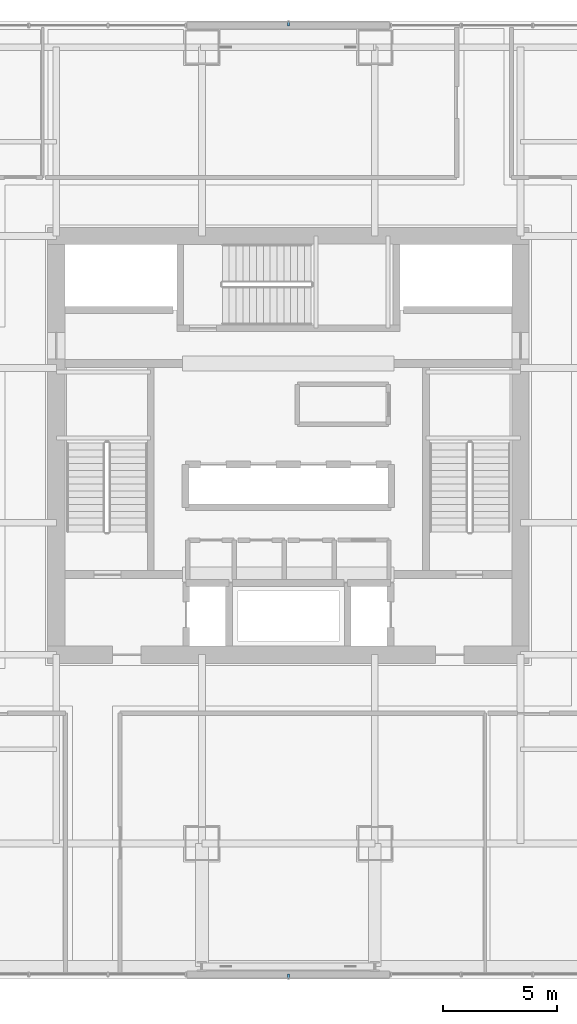
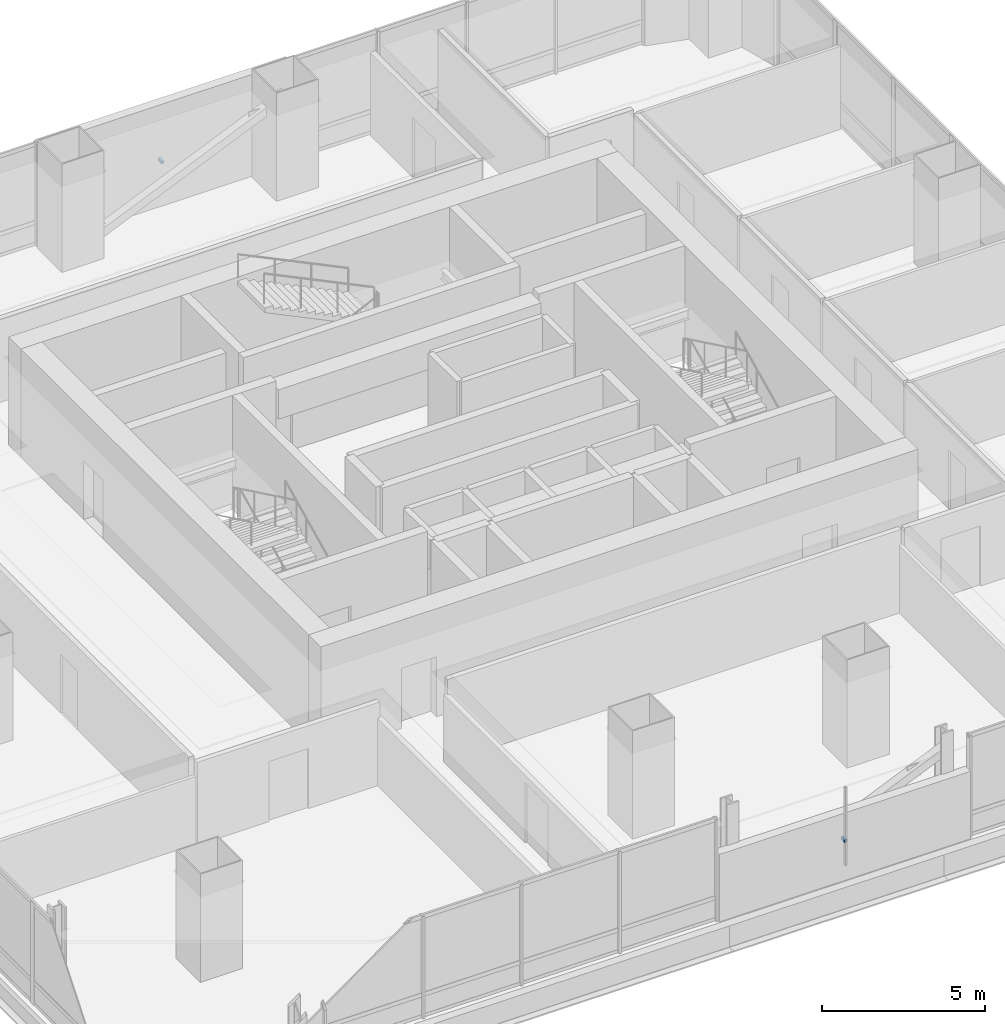
# One storey, part 29 of 37: 2 discrete accessories.
"""IFC4 building model written with IfcOpenShell, lengths in metres."""

from ifc_helpers import new_model, si_unit, direction, frame, origin, origin_2d, place, context, subcontext, project, spatial, rectangle, extrude, material, type_object, element, save


model = new_model("IFC4")

# Units and contexts
model_context = context("Model", 3, precision=1e-05, world=origin(), true_north=direction((0.0, 1.0)))
body_context = subcontext(model_context, "Body", "Model", "MODEL_VIEW")
ifc_project = project(units=[si_unit("LENGTHUNIT", "METRE"), si_unit("AREAUNIT", "SQUARE_METRE"), si_unit("VOLUMEUNIT", "CUBIC_METRE"), si_unit("PLANEANGLEUNIT", "RADIAN"), si_unit("MASSUNIT", "GRAM", prefix="KILO")], contexts=[model_context])

# Site, building, storey
site_placement = place(None, origin())
site = spatial("IfcSite", under=ifc_project, at=site_placement, CompositionType="ELEMENT")
building_placement = place(site_placement, origin())
building = spatial("IfcBuilding", under=site, at=building_placement, Name="Punatoya Terracotta Tower", CompositionType="ELEMENT")
storey_placement = place(building_placement, frame((0.0, 0.0, 44.39990234375)))
storey = spatial("IfcBuildingStorey", under=building, at=storey_placement, Name="L09", CompositionType="ELEMENT", Elevation=44.39990234375)

# Discrete accessories
ifc_material = material(Name="Steel S355", Category="steel")
discrete_accessory_type = type_object("IfcDiscreteAccessoryType", Name="ACC-BRK-220", PredefinedType="BRACKET", material=ifc_material)
for number, where, z_axis, x_axis, name in (
    (1, (0.0, -23.35009765625, 1.449951171875), (0.0, 0.0, 1.0), (1.0, 0.0, 0.0), "L09 Jali Fin Support Bracket S1"),
    (2, (0.0, 18.550048828125, 1.449951171875), (0.0, 0.0, 1.0), (-1.0, 0.0, 0.0), "L09 Jali Fin Support Bracket N1"),
):
    element("IfcDiscreteAccessory", number, at=place(storey_placement, frame(where, z_axis=z_axis, x_axis=x_axis)), inside=storey, type_object=discrete_accessory_type, Name=name, PredefinedType="BRACKET", context=body_context, shape_type="SweptSolid", body=[
        extrude(rectangle(XDim=0.090087890625, YDim=0.219970703125, at=origin_2d()), origin(), (0.0, 0.0, 1.0), 0.10009765625),
    ])

save(model, "model.ifc")
